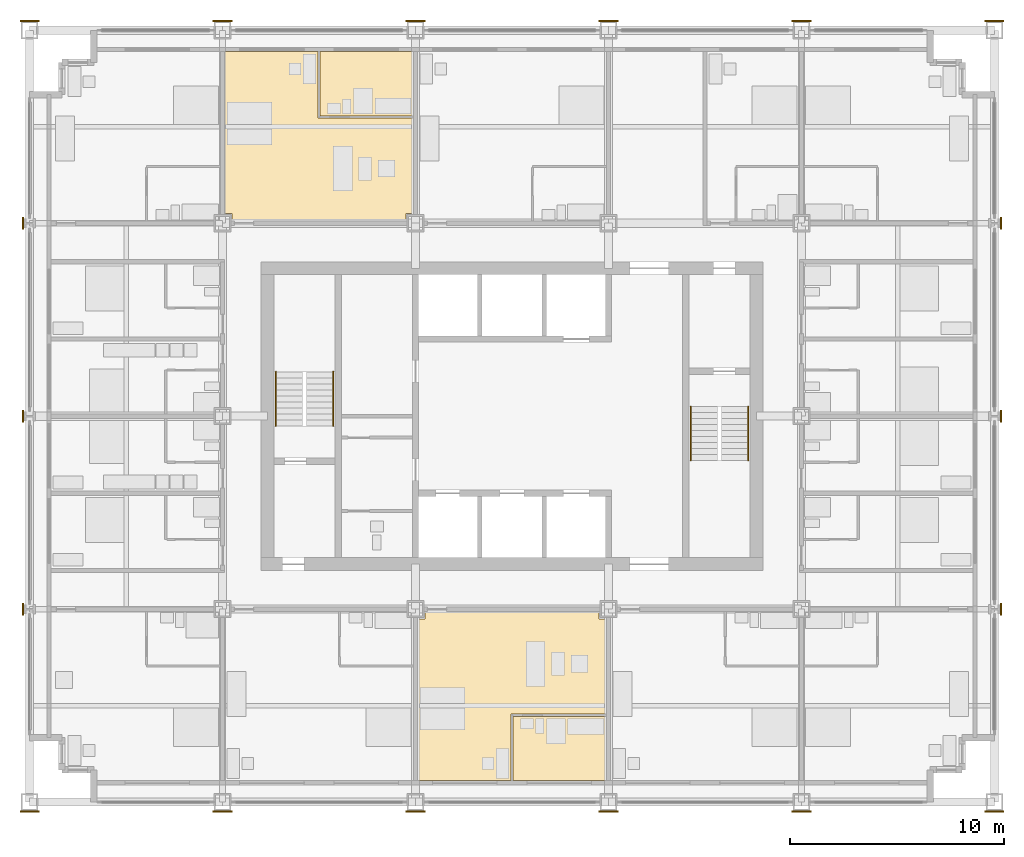
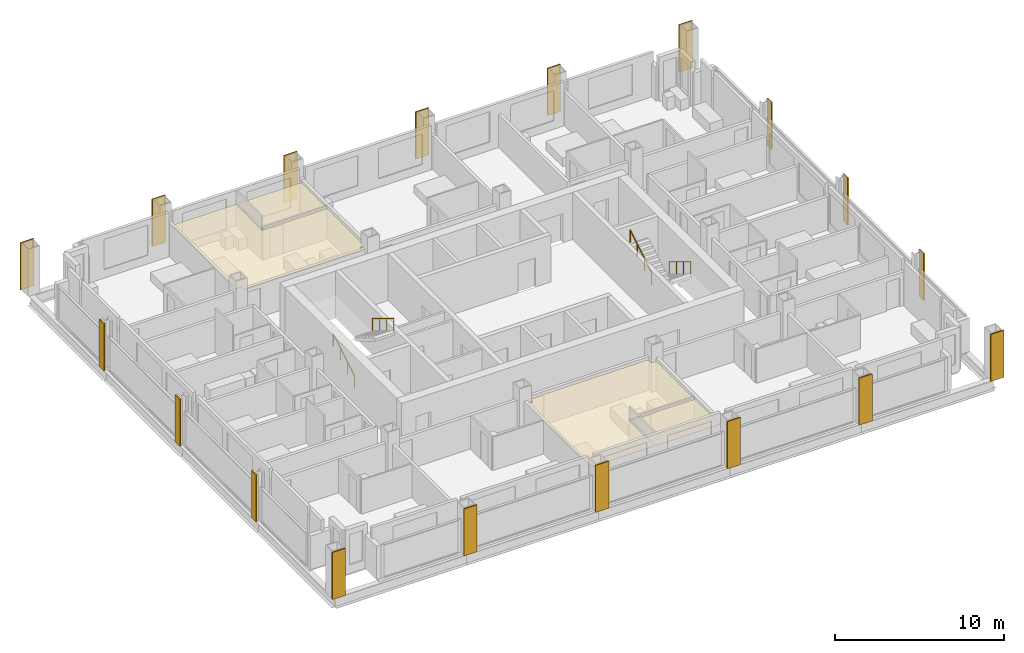
# One storey, part 14 of 16: 22 coverings, 4 railings.
"""IFC4 building model written with IfcOpenShell, lengths in metres."""

from ifc_helpers import new_model, si_unit, direction, frame, origin, origin_2d, place, context, subcontext, project, spatial, polyline, rectangle, circle, outline, extrude, material, layer, layer_set, type_object, element, save


model = new_model("IFC4")

# Units and contexts
model_context = context("Model", 3, precision=1e-05, world=origin(), true_north=direction((0.0, 1.0)))
body_context = subcontext(model_context, "Body", "Model", "MODEL_VIEW")
ifc_project = project(units=[si_unit("LENGTHUNIT", "METRE"), si_unit("AREAUNIT", "SQUARE_METRE"), si_unit("VOLUMEUNIT", "CUBIC_METRE"), si_unit("PLANEANGLEUNIT", "RADIAN"), si_unit("MASSUNIT", "GRAM", prefix="KILO")], contexts=[model_context])

# Site, building, storey
site_placement = place(None, origin())
site = spatial("IfcSite", under=ifc_project, at=site_placement, CompositionType="ELEMENT")
building_placement = place(site_placement, origin())
building = spatial("IfcBuilding", under=site, at=building_placement, Name="Loomwork Tower", CompositionType="ELEMENT")
storey_placement = place(building_placement, frame((0.0, 0.0, 107.800048828125)))
storey = spatial("IfcBuildingStorey", under=building, at=storey_placement, Name="L28", CompositionType="ELEMENT", Elevation=107.800048828125)

# Railings
ifc_material_1 = material(Name="Stainless steel handrail", Category="steel")
railing_type = type_object("IfcRailingType", Name="Handrail 900", PredefinedType="HANDRAIL", material=ifc_material_1)
railing_1_placement = place(storey_placement, frame((11.485107421875, 17.550048828125, 0.169921875)))
element("IfcRailing", 1, at=railing_1_placement, inside=storey, type_object=railing_type, Name="Stair A handrail flight 1 L28", PredefinedType="HANDRAIL", context=body_context, shape_type="SweptSolid", body=[
    extrude(circle(Radius=0.02392578125, at=origin_2d()), frame((0.0, 0.0, 0.8759765625), z_axis=(0.0, 0.85478489116, 0.518982456201), x_axis=(-1.0, 0.0, 0.0)), (0.0, 0.0, 1.0), 2.9482421875),
    extrude(circle(Radius=0.02099609375, at=origin_2d()), origin(), (0.0, 0.0, 1.0), 0.851806640625),
    extrude(circle(Radius=0.02099609375, at=origin_2d()), frame((0.0, 0.840087890625, 0.510009765625)), (0.0, 0.0, 1.0), 0.851806640625),
    extrude(circle(Radius=0.02099609375, at=origin_2d()), frame((0.0, 1.679931640625, 1.02001953125)), (0.0, 0.0, 1.0), 0.851806640625),
    extrude(circle(Radius=0.02099609375, at=origin_2d()), frame((0.0, 2.52001953125, 1.530029296875)), (0.0, 0.0, 1.0), 0.851806640625),
])
for number, where, name in (
    (2, (14.1650390625, 20.070068359375, 1.869873046875), "Stair A handrail flight 2 L28"),
    (3, (33.514892578125, 18.449951171875, 0.169921875), "Stair B handrail flight 1 L28"),
):
    element("IfcRailing", number, at=place(storey_placement, frame(where)), inside=storey, type_object=railing_type, Name=name, PredefinedType="HANDRAIL", context=body_context, shape_type="SweptSolid", body=[
        extrude(circle(Radius=0.02392578125, at=origin_2d()), frame((0.0, 0.0, 0.8759765625), z_axis=(0.0, -0.85478489116, 0.518982456201), x_axis=(1.0, 0.0, 0.0)), (0.0, 0.0, 1.0), 2.9482421875),
        extrude(circle(Radius=0.02099609375, at=origin_2d()), origin(), (0.0, 0.0, 1.0), 0.851806640625),
        extrude(circle(Radius=0.02099609375, at=origin_2d()), frame((0.0, -0.840087890625, 0.510009765625)), (0.0, 0.0, 1.0), 0.851806640625),
        extrude(circle(Radius=0.02099609375, at=origin_2d()), frame((0.0, -1.679931640625, 1.02001953125)), (0.0, 0.0, 1.0), 0.851806640625),
        extrude(circle(Radius=0.02099609375, at=origin_2d()), frame((0.0, -2.52001953125, 1.530029296875)), (0.0, 0.0, 1.0), 0.851806640625),
    ])
railing_2_placement = place(storey_placement, frame((30.8349609375, 15.929931640625, 1.869873046875)))
element("IfcRailing", 4, at=railing_2_placement, inside=storey, type_object=railing_type, Name="Stair B handrail flight 2 L28", PredefinedType="HANDRAIL", context=body_context, shape_type="SweptSolid", body=[
    extrude(circle(Radius=0.02392578125, at=origin_2d()), frame((0.0, 0.0, 0.8759765625), z_axis=(0.0, 0.85478489116, 0.518982456201), x_axis=(-1.0, 0.0, 0.0)), (0.0, 0.0, 1.0), 2.9482421875),
    extrude(circle(Radius=0.02099609375, at=origin_2d()), origin(), (0.0, 0.0, 1.0), 0.851806640625),
    extrude(circle(Radius=0.02099609375, at=origin_2d()), frame((0.0, 0.840087890625, 0.510009765625)), (0.0, 0.0, 1.0), 0.851806640625),
    extrude(circle(Radius=0.02099609375, at=origin_2d()), frame((0.0, 1.679931640625, 1.02001953125)), (0.0, 0.0, 1.0), 0.851806640625),
    extrude(circle(Radius=0.02099609375, at=origin_2d()), frame((0.0, 2.52001953125, 1.530029296875)), (0.0, 0.0, 1.0), 0.851806640625),
])

# Coverings
ifc_material_2 = material(Name="Limestone", Category="masonry")
ifc_layer_1 = layer(ifc_material_2, 0.080078125)
ifc_layer_set_1 = layer_set([ifc_layer_1], Name="Limestone pier facing 80")
covering_type_1 = type_object("IfcCoveringType", Name="Limestone pier facing 80", PredefinedType="CLADDING", material=ifc_layer_set_1)
covering_1_placement = place(storey_placement, frame((0.0, -0.43994140625, 0.0), z_axis=(0.0, 0.0, 1.0), x_axis=(1.0, 0.0, 0.0)))
element("IfcCovering", 5, at=covering_1_placement, inside=storey, type_object=covering_type_1, Name="Pier facing D/2 L28", PredefinedType="CLADDING", context=body_context, shape_type="SweptSolid", body=[
    extrude(rectangle(XDim=0.89990234375, YDim=0.080078125, at=origin_2d()), origin(), (0.0, 0.0, 1.0), 3.39990234375),
])
for number, where, z_axis, x_axis, name in (
    (6, (-0.314208984375, 9.0, 0.0), (0.0, 0.0, 1.0), (1.0, 0.0, 0.0), "Pier facing E/2 L28"),
    (7, (-0.314208984375, 18.0, 0.0), (0.0, 0.0, 1.0), (1.0, 0.0, 0.0), "Pier facing F/2 L28"),
    (8, (-0.314208984375, 27.0, 0.0), (0.0, 0.0, 1.0), (1.0, 0.0, 0.0), "Pier facing G/2 L28"),
):
    element("IfcCovering", number, at=place(storey_placement, frame(where, z_axis=z_axis, x_axis=x_axis)), inside=storey, type_object=covering_type_1, Name=name, PredefinedType="CLADDING", context=body_context, shape_type="SweptSolid", body=[
        extrude(rectangle(XDim=0.080078125, YDim=0.549560546875, at=origin_2d()), origin(), (0.0, 0.0, 1.0), 3.39990234375),
    ])
for number, where, z_axis, x_axis, name in (
    (9, (0.0, 36.43994140625, 0.0), (0.0, 0.0, 1.0), (1.0, 0.0, 0.0), "Pier facing H/2 L28"),
    (10, (9.0, -0.43994140625, 0.0), (0.0, 0.0, 1.0), (1.0, 0.0, 0.0), "Pier facing D/3 L28"),
    (11, (9.0, 36.43994140625, 0.0), (0.0, 0.0, 1.0), (1.0, 0.0, 0.0), "Pier facing H/3 L28"),
    (12, (18.0, -0.43994140625, 0.0), (0.0, 0.0, 1.0), (1.0, 0.0, 0.0), "Pier facing D/4 L28"),
    (13, (18.0, 36.43994140625, 0.0), (0.0, 0.0, 1.0), (1.0, 0.0, 0.0), "Pier facing H/4 L28"),
    (14, (27.0, -0.43994140625, 0.0), (0.0, 0.0, 1.0), (1.0, 0.0, 0.0), "Pier facing D/5 L28"),
    (15, (27.0, 36.43994140625, 0.0), (0.0, 0.0, 1.0), (1.0, 0.0, 0.0), "Pier facing H/5 L28"),
    (16, (36.0, -0.43994140625, 0.0), (0.0, 0.0, 1.0), (1.0, 0.0, 0.0), "Pier facing D/6 L28"),
    (17, (36.0, 36.43994140625, 0.0), (0.0, 0.0, 1.0), (1.0, 0.0, 0.0), "Pier facing H/6 L28"),
    (18, (45.0, -0.43994140625, 0.0), (0.0, 0.0, 1.0), (1.0, 0.0, 0.0), "Pier facing D/7 L28"),
):
    element("IfcCovering", number, at=place(storey_placement, frame(where, z_axis=z_axis, x_axis=x_axis)), inside=storey, type_object=covering_type_1, Name=name, PredefinedType="CLADDING", context=body_context, shape_type="SweptSolid", body=[
        extrude(rectangle(XDim=0.89990234375, YDim=0.080078125, at=origin_2d()), origin(), (0.0, 0.0, 1.0), 3.39990234375),
    ])
for number, where, z_axis, x_axis, name in (
    (19, (45.314208984375, 9.0, 0.0), (0.0, 0.0, 1.0), (1.0, 0.0, 0.0), "Pier facing E/7 L28"),
    (20, (45.314208984375, 18.0, 0.0), (0.0, 0.0, 1.0), (1.0, 0.0, 0.0), "Pier facing F/7 L28"),
    (21, (45.314208984375, 27.0, 0.0), (0.0, 0.0, 1.0), (1.0, 0.0, 0.0), "Pier facing G/7 L28"),
):
    element("IfcCovering", number, at=place(storey_placement, frame(where, z_axis=z_axis, x_axis=x_axis)), inside=storey, type_object=covering_type_1, Name=name, PredefinedType="CLADDING", context=body_context, shape_type="SweptSolid", body=[
        extrude(rectangle(XDim=0.080078125, YDim=0.549560546875, at=origin_2d()), origin(), (0.0, 0.0, 1.0), 3.39990234375),
    ])
covering_2_placement = place(storey_placement, frame((45.0, 36.43994140625, 0.0), z_axis=(0.0, 0.0, 1.0), x_axis=(1.0, 0.0, 0.0)))
element("IfcCovering", 22, at=covering_2_placement, inside=storey, type_object=covering_type_1, Name="Pier facing H/7 L28", PredefinedType="CLADDING", context=body_context, shape_type="SweptSolid", body=[
    extrude(rectangle(XDim=0.89990234375, YDim=0.080078125, at=origin_2d()), origin(), (0.0, 0.0, 1.0), 3.39990234375),
])
ifc_material_3 = material(Name="Mineral fibre acoustic tile on suspension grid")
ifc_layer_2 = layer(ifc_material_3, 0.02490234375)
ifc_layer_set_2 = layer_set([ifc_layer_2], Name="Suspended acoustic ceiling")
covering_type_2 = type_object("IfcCoveringType", Name="Suspended acoustic ceiling", PredefinedType="CEILING", material=ifc_layer_set_2)
covering_3_placement = place(storey_placement, frame((0.0, 0.0, 2.175048828125)))
element("IfcCovering", 23, at=covering_3_placement, inside=storey, type_object=covering_type_2, Name="Ceiling Spa bathroom L28", PredefinedType="CEILING", context=body_context, shape_type="SweptSolid", body=[
    extrude(outline(polyline([(26.89990234375, 4.0), (26.89990234375, 1.0), (22.550048828125, 1.0), (22.550048828125, 4.0), (26.89990234375, 4.0)])), origin(), (0.0, 0.0, 1.0), 0.02490234375),
])
covering_4_placement = place(storey_placement, frame((0.0, 0.0, 2.175048828125)))
element("IfcCovering", 24, at=covering_4_placement, inside=storey, type_object=covering_type_2, Name="Ceiling Spa suite L28", PredefinedType="CEILING", context=body_context, shape_type="SweptSolid", body=[
    extrude(outline(polyline([(26.550048828125, 8.89990234375), (26.550048828125, 8.550048828125), (26.89990234375, 8.550048828125), (26.89990234375, 4.10009765625), (22.449951171875, 4.10009765625), (22.449951171875, 1.0), (18.10009765625, 1.0), (18.10009765625, 8.550048828125), (18.449951171875, 8.550048828125), (18.449951171875, 8.89990234375), (26.550048828125, 8.89990234375)])), origin(), (0.0, 0.0, 1.0), 0.02490234375),
])
covering_5_placement = place(storey_placement, frame((0.0, 0.0, 2.175048828125)))
element("IfcCovering", 25, at=covering_5_placement, inside=storey, type_object=covering_type_2, Name="Ceiling Spa bathroom L28", PredefinedType="CEILING", context=body_context, shape_type="SweptSolid", body=[
    extrude(outline(polyline([(13.550048828125, 35.0), (17.89990234375, 35.0), (17.89990234375, 32.0), (13.550048828125, 32.0), (13.550048828125, 35.0)])), origin(), (0.0, 0.0, 1.0), 0.02490234375),
])
covering_6_placement = place(storey_placement, frame((0.0, 0.0, 2.175048828125)))
element("IfcCovering", 26, at=covering_6_placement, inside=storey, type_object=covering_type_2, Name="Ceiling Spa suite L28", PredefinedType="CEILING", context=body_context, shape_type="SweptSolid", body=[
    extrude(outline(polyline([(9.10009765625, 35.0), (13.449951171875, 35.0), (13.449951171875, 31.89990234375), (17.89990234375, 31.89990234375), (17.89990234375, 27.449951171875), (17.550048828125, 27.449951171875), (17.550048828125, 27.10009765625), (9.449951171875, 27.10009765625), (9.449951171875, 27.449951171875), (9.10009765625, 27.449951171875), (9.10009765625, 35.0)])), origin(), (0.0, 0.0, 1.0), 0.02490234375),
])

save(model, "model.ifc")
